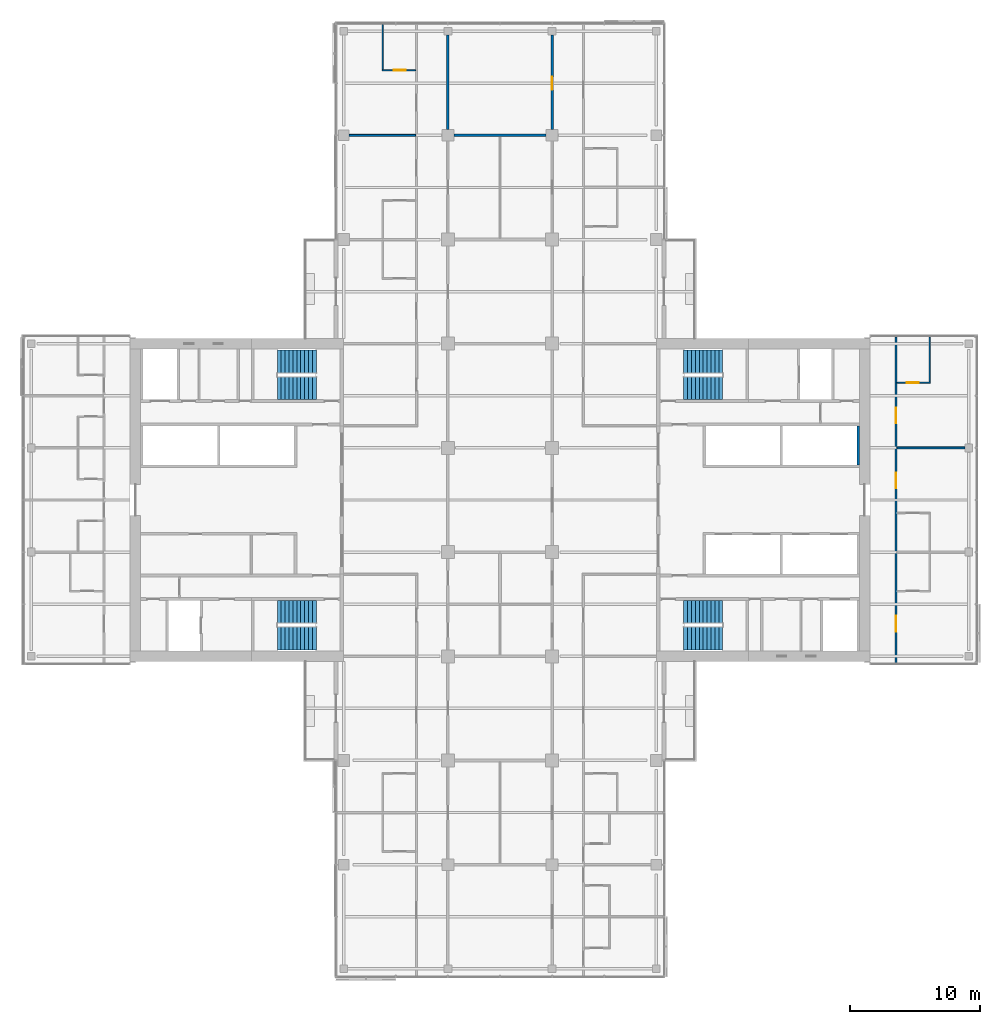
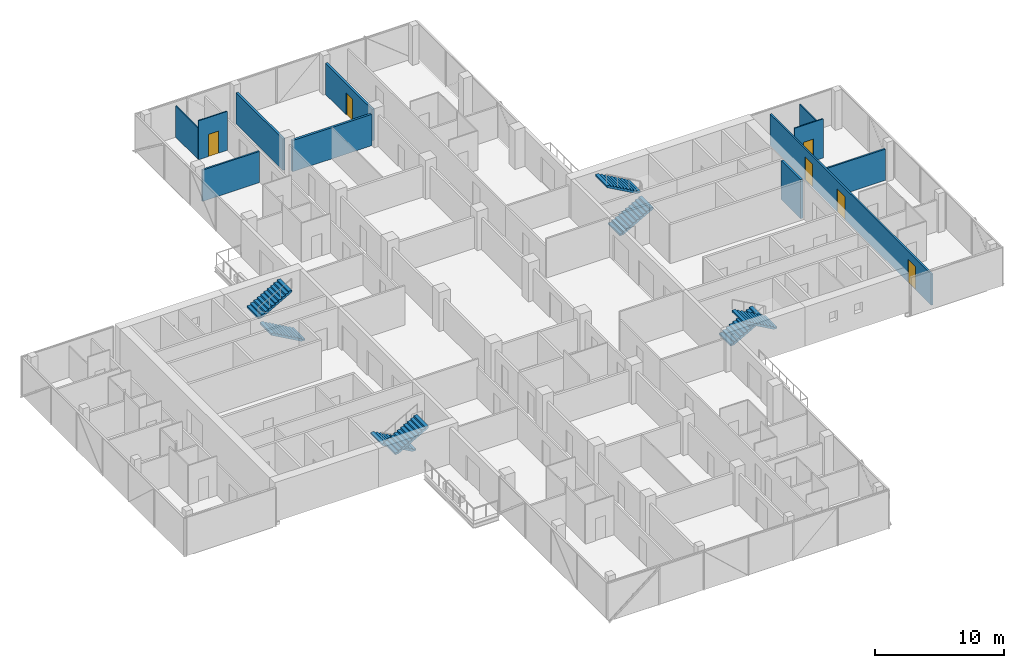
# One storey, part 20 of 25: 11 walls, 8 stair flights, 6 doors, 6 openings, 4 elements without a shape of their own.
"""IFC4 building model written with IfcOpenShell, lengths in metres."""

from ifc_helpers import new_model, si_unit, direction, frame, frame_2d, origin, place, context, subcontext, project, spatial, polyline, rectangle, outline, extrude, material, layer, layer_set, type_object, element, fill, aggregate, save


model = new_model("IFC4")

# Units and contexts
model_context = context("Model", 3, precision=1e-05, world=origin(), true_north=direction((0.0, 1.0)))
body_context = subcontext(model_context, "Body", "Model", "MODEL_VIEW")
ifc_project = project(units=[si_unit("LENGTHUNIT", "METRE"), si_unit("AREAUNIT", "SQUARE_METRE"), si_unit("VOLUMEUNIT", "CUBIC_METRE"), si_unit("PLANEANGLEUNIT", "RADIAN"), si_unit("MASSUNIT", "GRAM", prefix="KILO")], contexts=[model_context])

# Site, building, storey
site_placement = place(None, origin())
site = spatial("IfcSite", under=ifc_project, at=site_placement, CompositionType="ELEMENT")
building_placement = place(site_placement, origin())
building = spatial("IfcBuilding", under=site, at=building_placement, Name="Crosswind Convention Tower", CompositionType="ELEMENT")
storey_placement = place(building_placement, frame((0.0, 0.0, 97.89990234375)))
storey = spatial("IfcBuildingStorey", under=building, at=storey_placement, Name="L19", CompositionType="ELEMENT", Elevation=97.89990234375)

# Walls
ifc_material_1 = material(Name="Concrete C50/60", Category="concrete")
ifc_layer_1 = layer(ifc_material_1, 0.199951171875)
ifc_layer_set_1 = layer_set([ifc_layer_1], Name="Concrete C50/60")
wall_type_1 = type_object("IfcWallType", Name="Concrete shaft and stair wall 200", PredefinedType="SHEAR", material=ifc_layer_set_1)
wall_1_placement = place(storey_placement, frame((152.5, 102.699951171875, 0.0), z_axis=(0.0, 0.0, 1.0), x_axis=(0.0, 1.0, 0.0)))
element("IfcWall", 1, at=wall_1_placement, inside=storey, type_object=wall_type_1, Name="Wall RPEAST E L19", PredefinedType="SHEAR", context=body_context, shape_type="SweptSolid", body=[
    extrude(rectangle(XDim=3.0, YDim=0.199951171875, at=frame_2d((1.5, 0.0))), origin(), (0.0, 0.0, 1.0), 3.7001953125),
])
ifc_material_2 = material(Name="Acoustic plasterboard partition", Category="gypsum")
ifc_layer_2 = layer(ifc_material_2, 0.14990234375)
ifc_layer_set_2 = layer_set([ifc_layer_2], Name="GUEST ROOM WALL 150")
wall_type_2 = type_object("IfcWallType", Name="GUEST ROOM WALL 150", PredefinedType="PARTITIONING", material=ifc_layer_set_2)
wall_2_placement = place(storey_placement, frame((155.47509765625, 104.0, 0.0), z_axis=(0.0, 0.0, 1.0), x_axis=(1.0, 0.0, 0.0)))
element("IfcWall", 2, at=wall_2_placement, inside=storey, type_object=wall_type_2, Name="Guest Room Wall 31", PredefinedType="PARTITIONING", context=body_context, shape_type="SweptSolid", body=[
    extrude(rectangle(XDim=5.224853515625, YDim=0.14990234375, at=frame_2d((2.6123046875, 0.0))), origin(), (0.0, 0.0, 1.0), 2.95654296875),
])
wall_3_placement = place(storey_placement, frame((113.39990234375, 128.0, 0.0), z_axis=(0.0, 0.0, 1.0), x_axis=(1.0, 0.0, 0.0)))
element("IfcWall", 3, at=wall_3_placement, inside=storey, type_object=wall_type_2, Name="Guest Room Wall 48", PredefinedType="PARTITIONING", context=body_context, shape_type="SweptSolid", body=[
    extrude(rectangle(XDim=5.125, YDim=0.14990234375, at=frame_2d((2.5625, 0.0))), origin(), (0.0, 0.0, 1.0), 2.9599609375),
])

# Wall, openings, doors
wall_4_placement = place(storey_placement, frame((155.39990234375, 87.5, 0.0), z_axis=(0.0, 0.0, 1.0), x_axis=(0.0, 1.0, 0.0)))
wall_4 = element("IfcWall", 4, at=wall_4_placement, inside=storey, type_object=wall_type_2, Name="Guest Room Wall 99", PredefinedType="PARTITIONING", context=body_context, shape_type="SweptSolid", body=[
    extrude(rectangle(XDim=25.0, YDim=0.14990234375, at=frame_2d((12.5, 0.0))), origin(), (0.0, 0.0, 1.0), 2.95654296875),
])
opening_1_placement = place(wall_4_placement, frame((2.39990234375, 0.0, 0.0)))
opening_1 = element("IfcOpeningElement", 5, at=opening_1_placement, cuts=wall_4, Name="Opening 19.027", PredefinedType="OPENING", context=body_context, shape_type="SweptSolid", body=[
    extrude(rectangle(XDim=1.199951171875, YDim=2.199951171875, at=frame_2d((0.60009765625, 1.10009765625))), frame((0.0, 0.0849609375, 0.0), z_axis=(0.0, -1.0, 0.0), x_axis=(1.0, 0.0, 0.0)), (0.0, 0.0, 1.0), 0.169921875),
])
opening_2_placement = place(wall_4_placement, frame((13.39990234375, 0.0, 0.0)))
opening_2 = element("IfcOpeningElement", 6, at=opening_2_placement, cuts=wall_4, Name="Opening 19.029", PredefinedType="OPENING", context=body_context, shape_type="SweptSolid", body=[
    extrude(rectangle(XDim=1.199951171875, YDim=2.199951171875, at=frame_2d((0.60009765625, 1.10009765625))), frame((0.0, 0.0849609375, 0.0), z_axis=(0.0, -1.0, 0.0), x_axis=(1.0, 0.0, 0.0)), (0.0, 0.0, 1.0), 0.169921875),
])
opening_3_placement = place(wall_4_placement, frame((18.39990234375, 0.0, 0.0)))
opening_3 = element("IfcOpeningElement", 7, at=opening_3_placement, cuts=wall_4, Name="Opening 19.031", PredefinedType="OPENING", context=body_context, shape_type="SweptSolid", body=[
    extrude(rectangle(XDim=1.199951171875, YDim=2.199951171875, at=frame_2d((0.60009765625, 1.10009765625))), frame((0.0, 0.0849609375, 0.0), z_axis=(0.0, -1.0, 0.0), x_axis=(1.0, 0.0, 0.0)), (0.0, 0.0, 1.0), 0.169921875),
])
ifc_material_3 = material(Name="Timber fire door", Category="wood")
door_type_1 = type_object("IfcDoorType", Name="SUITE DOOR 1200X2200", OperationType="DOUBLE_DOOR_SINGLE_SWING", PredefinedType="DOOR", material=ifc_material_3)
door_1_placement = place(opening_1_placement, frame((1.199951171875, 0.0, 0.0), z_axis=(0.0, 0.0, 1.0), x_axis=(-1.0, 0.0, 0.0)))
door_1 = element("IfcDoor", 8, at=door_1_placement, inside=storey, type_object=door_type_1, Name="Door 19.027", ObjectType="D14", OperationType="DOUBLE_DOOR_SINGLE_SWING", OverallHeight=2.199951171875, OverallWidth=1.199951171875, PredefinedType="DOOR", context=body_context, shape_type="SweptSolid", body=[
    extrude(rectangle(XDim=1.199951171875, YDim=2.199951171875, at=frame_2d((0.60009765625, 1.10009765625))), frame((0.0, 0.02490234375, 0.0), z_axis=(0.0, -1.0, 0.0), x_axis=(1.0, 0.0, 0.0)), (0.0, 0.0, 1.0), 0.050048828125),
])
fill(opening_1, door_1)
door_2_placement = place(opening_2_placement, frame((1.199951171875, 0.0, 0.0), z_axis=(0.0, 0.0, 1.0), x_axis=(-1.0, 0.0, 0.0)))
door_2 = element("IfcDoor", 9, at=door_2_placement, inside=storey, type_object=door_type_1, Name="Door 19.029", ObjectType="D14", OperationType="DOUBLE_DOOR_SINGLE_SWING", OverallHeight=2.199951171875, OverallWidth=1.199951171875, PredefinedType="DOOR", context=body_context, shape_type="SweptSolid", body=[
    extrude(rectangle(XDim=1.199951171875, YDim=2.199951171875, at=frame_2d((0.60009765625, 1.10009765625))), frame((0.0, 0.02490234375, 0.0), z_axis=(0.0, -1.0, 0.0), x_axis=(1.0, 0.0, 0.0)), (0.0, 0.0, 1.0), 0.050048828125),
])
fill(opening_2, door_2)
door_3_placement = place(opening_3_placement, frame((1.199951171875, 0.0, 0.0), z_axis=(0.0, 0.0, 1.0), x_axis=(-1.0, 0.0, 0.0)))
door_3 = element("IfcDoor", 10, at=door_3_placement, inside=storey, type_object=door_type_1, Name="Door 19.031", ObjectType="D14", OperationType="DOUBLE_DOOR_SINGLE_SWING", OverallHeight=2.199951171875, OverallWidth=1.199951171875, PredefinedType="DOOR", context=body_context, shape_type="SweptSolid", body=[
    extrude(rectangle(XDim=1.199951171875, YDim=2.199951171875, at=frame_2d((0.60009765625, 1.10009765625))), frame((0.0, 0.02490234375, 0.0), z_axis=(0.0, -1.0, 0.0), x_axis=(1.0, 0.0, 0.0)), (0.0, 0.0, 1.0), 0.050048828125),
])
fill(opening_3, door_3)

# Walls
ifc_material_4 = material(Name="Double plasterboard partition", Category="gypsum")
ifc_layer_3 = layer(ifc_material_4, 0.199951171875)
ifc_layer_set_3 = layer_set([ifc_layer_3], Name="HALL WALL 200")
wall_type_3 = type_object("IfcWallType", Name="HALL WALL 200", PredefinedType="PARTITIONING", material=ifc_layer_set_3)
wall_5_placement = place(storey_placement, frame((121.449951171875, 128.0, 0.0), z_axis=(0.0, 0.0, 1.0), x_axis=(1.0, 0.0, 0.0)))
element("IfcWall", 11, at=wall_5_placement, inside=storey, type_object=wall_type_3, Name="Hall Wall 49", PredefinedType="PARTITIONING", context=body_context, shape_type="SweptSolid", body=[
    extrude(rectangle(XDim=7.10009765625, YDim=0.199951171875, at=frame_2d((3.550048828125, 0.0))), origin(), (0.0, 0.0, 1.0), 2.9599609375),
])
wall_6_placement = place(storey_placement, frame((121.0, 128.449951171875, 0.0), z_axis=(0.0, 0.0, 1.0), x_axis=(0.0, 1.0, 0.0)))
element("IfcWall", 12, at=wall_6_placement, inside=storey, type_object=wall_type_3, Name="Hall Wall 75", PredefinedType="PARTITIONING", context=body_context, shape_type="SweptSolid", body=[
    extrude(rectangle(XDim=7.25, YDim=0.199951171875, at=frame_2d((3.625, 0.0))), origin(), (0.0, 0.0, 1.0), 2.9599609375),
])

# Wall, opening, door
wall_7_placement = place(storey_placement, frame((129.0, 128.449951171875, 0.0), z_axis=(0.0, 0.0, 1.0), x_axis=(0.0, 1.0, 0.0)))
wall_7 = element("IfcWall", 13, at=wall_7_placement, inside=storey, type_object=wall_type_3, Name="Hall Wall 88", PredefinedType="PARTITIONING", context=body_context, shape_type="SweptSolid", body=[
    extrude(rectangle(XDim=7.25, YDim=0.199951171875, at=frame_2d((3.625, 0.0))), origin(), (0.0, 0.0, 1.0), 2.9599609375),
])
opening_4_placement = place(wall_7_placement, frame((3.050048828125, 0.0, 0.0)))
opening_4 = element("IfcOpeningElement", 14, at=opening_4_placement, cuts=wall_7, Name="Opening 19.055", PredefinedType="OPENING", context=body_context, shape_type="SweptSolid", body=[
    extrude(rectangle(XDim=1.0, YDim=2.10009765625, at=frame_2d((0.5, 1.050048828125))), frame((0.0, 0.10986328125, 0.0), z_axis=(0.0, -1.0, 0.0), x_axis=(1.0, 0.0, 0.0)), (0.0, 0.0, 1.0), 0.219970703125),
])
door_type_2 = type_object("IfcDoorType", Name="MEETING ROOM DOOR 1000X2100", OperationType="NOTDEFINED", PredefinedType="DOOR", material=ifc_material_3)
door_4_placement = place(opening_4_placement, origin())
door_4 = element("IfcDoor", 15, at=door_4_placement, inside=storey, type_object=door_type_2, Name="Door 19.055", ObjectType="D13", OperationType="SINGLE_SWING_LEFT", OverallHeight=2.10009765625, OverallWidth=1.0, PredefinedType="DOOR", context=body_context, shape_type="SweptSolid", body=[
    extrude(rectangle(XDim=1.0, YDim=2.10009765625, at=frame_2d((0.5, 1.050048828125))), frame((0.0, 0.02490234375, 0.0), z_axis=(0.0, -1.0, 0.0), x_axis=(1.0, 0.0, 0.0)), (0.0, 0.0, 1.0), 0.050048828125),
])
fill(opening_4, door_4)

ifc_material_5 = material(Name="Water-resistant plasterboard partition", Category="gypsum")
ifc_layer_4 = layer(ifc_material_5, 0.10009765625)
ifc_layer_set_4 = layer_set([ifc_layer_4], Name="WET ROOM PARTITION 100")
wall_type_4 = type_object("IfcWallType", Name="WET ROOM PARTITION 100", PredefinedType="PLUMBINGWALL", material=ifc_layer_set_4)
wall_8_placement = place(storey_placement, frame((155.47509765625, 109.0, 0.0), z_axis=(0.0, 0.0, 1.0), x_axis=(1.0, 0.0, 0.0)))
wall_8 = element("IfcWall", 16, at=wall_8_placement, inside=storey, type_object=wall_type_4, Name="Wet Room Partition 36", PredefinedType="PLUMBINGWALL", context=body_context, shape_type="SweptSolid", body=[
    extrude(rectangle(XDim=2.574951171875, YDim=0.10009765625, at=frame_2d((1.28759765625, 0.0))), origin(), (0.0, 0.0, 1.0), 3.7001953125),
])
opening_5_placement = place(wall_8_placement, frame((0.77490234375, 0.0, 0.0)))
opening_5 = element("IfcOpeningElement", 17, at=opening_5_placement, cuts=wall_8, Name="Opening 19.032", PredefinedType="OPENING", context=body_context, shape_type="SweptSolid", body=[
    extrude(rectangle(XDim=0.89990234375, YDim=2.10009765625, at=frame_2d((0.449951171875, 1.050048828125))), frame((0.0, 0.06005859375, 0.0), z_axis=(0.0, -1.0, 0.0), x_axis=(1.0, 0.0, 0.0)), (0.0, 0.0, 1.0), 0.1201171875),
])
ifc_material_6 = material(Name="Timber door", Category="wood")
door_type_3 = type_object("IfcDoorType", Name="EN-SUITE DOOR 900X2100", OperationType="NOTDEFINED", PredefinedType="DOOR", material=ifc_material_6)
door_5_placement = place(opening_5_placement, origin())
door_5 = element("IfcDoor", 18, at=door_5_placement, inside=storey, type_object=door_type_3, Name="Door 19.032", ObjectType="D2", OperationType="SINGLE_SWING_RIGHT", OverallHeight=2.10009765625, OverallWidth=0.89990234375, PredefinedType="DOOR", context=body_context, shape_type="SweptSolid", body=[
    extrude(rectangle(XDim=0.89990234375, YDim=2.10009765625, at=frame_2d((0.449951171875, 1.050048828125))), frame((0.0, 0.02490234375, 0.0), z_axis=(0.0, -1.0, 0.0), x_axis=(1.0, 0.0, 0.0)), (0.0, 0.0, 1.0), 0.050048828125),
])
fill(opening_5, door_5)

wall_9_placement = place(storey_placement, frame((115.949951171875, 133.0, 0.0), z_axis=(0.0, 0.0, 1.0), x_axis=(1.0, 0.0, 0.0)))
wall_9 = element("IfcWall", 19, at=wall_9_placement, inside=storey, type_object=wall_type_4, Name="Wet Room Partition 50", PredefinedType="PLUMBINGWALL", context=body_context, shape_type="SweptSolid", body=[
    extrude(rectangle(XDim=2.574951171875, YDim=0.10009765625, at=frame_2d((1.28759765625, 0.0))), origin(), (0.0, 0.0, 1.0), 3.7001953125),
])
opening_6_placement = place(wall_9_placement, frame((0.89990234375, 0.0, 0.0)))
opening_6 = element("IfcOpeningElement", 20, at=opening_6_placement, cuts=wall_9, Name="Opening 19.014", PredefinedType="OPENING", context=body_context, shape_type="SweptSolid", body=[
    extrude(rectangle(XDim=0.89990234375, YDim=2.10009765625, at=frame_2d((0.449951171875, 1.050048828125))), frame((0.0, 0.06005859375, 0.0), z_axis=(0.0, -1.0, 0.0), x_axis=(1.0, 0.0, 0.0)), (0.0, 0.0, 1.0), 0.1201171875),
])
door_6_placement = place(opening_6_placement, origin())
door_6 = element("IfcDoor", 21, at=door_6_placement, inside=storey, type_object=door_type_3, Name="Door 19.014", ObjectType="D2", OperationType="SINGLE_SWING_RIGHT", OverallHeight=2.10009765625, OverallWidth=0.89990234375, PredefinedType="DOOR", context=body_context, shape_type="SweptSolid", body=[
    extrude(rectangle(XDim=0.89990234375, YDim=2.10009765625, at=frame_2d((0.449951171875, 1.050048828125))), frame((0.0, 0.02490234375, 0.0), z_axis=(0.0, -1.0, 0.0), x_axis=(1.0, 0.0, 0.0)), (0.0, 0.0, 1.0), 0.050048828125),
])
fill(opening_6, door_6)

# Walls
for number, where, z_axis, x_axis, name in (
    (22, (116.0, 133.050048828125, 0.0), (0.0, 0.0, 1.0), (0.0, 1.0, 0.0), "Wet Room Partition 61"),
    (23, (158.0, 109.050048828125, 0.0), (0.0, 0.0, 1.0), (0.0, 1.0, 0.0), "Wet Room Partition 102"),
):
    element("IfcWall", number, at=place(storey_placement, frame(where, z_axis=z_axis, x_axis=x_axis)), inside=storey, type_object=wall_type_4, Name=name, PredefinedType="PLUMBINGWALL", context=body_context, shape_type="SweptSolid", body=[
        extrude(rectangle(XDim=3.449951171875, YDim=0.10009765625, at=frame_2d((1.72509765625, 0.0))), origin(), (0.0, 0.0, 1.0), 2.962890625),
    ])

# Stair, stair flights
ifc_material_7 = material(Name="Concrete C40/50", Category="concrete")
stair_type = type_object("IfcStairType", Name="Exit stair 1800 wide, 2 flights of 11 risers", PredefinedType="HALF_TURN_STAIR", material=ifc_material_7)
stair_1_placement = place(storey_placement, origin())
stair_1 = element("IfcStair", 24, at=stair_1_placement, inside=storey, type_object=stair_type, Name="Exit stair ST1 L19", ObjectType="ST5", PredefinedType="HALF_TURN_STAIR")
stair_flight_type = type_object("IfcStairFlightType", Name="Stair flight 1800 wide, 11 risers (SF3)", PredefinedType="STRAIGHT", material=ifc_material_7)
stair_flight_1_placement = place(storey_placement, frame((139.10009765625, 108.60009765625, 0.0), z_axis=(0.0, 0.0, 1.0), x_axis=(1.0, 0.0, 0.0)))
stair_flight_1 = element("IfcStairFlight", 25, at=stair_flight_1_placement, type_object=stair_flight_type, Name="ST1 flight 1", NumberOfRisers=11, NumberOfTreads=10, PredefinedType="STRAIGHT", RiserHeight=0.168181818, TreadLength=0.3, context=body_context, shape_type="SweptSolid", body=[
    extrude(outline(polyline([(0.0, 0.0), (0.0, 0.168212890625), (0.300048828125, 0.168212890625), (0.300048828125, 0.33642578125), (0.60009765625, 0.33642578125), (0.60009765625, 0.504638671875), (0.89990234375, 0.504638671875), (0.89990234375, 0.672607421875), (1.199951171875, 0.672607421875), (1.199951171875, 0.8408203125), (1.5, 0.8408203125), (1.5, 1.009033203125), (1.800048828125, 1.009033203125), (1.800048828125, 1.17724609375), (2.10009765625, 1.17724609375), (2.10009765625, 1.345458984375), (2.39990234375, 1.345458984375), (2.39990234375, 1.513671875), (2.699951171875, 1.513671875), (2.699951171875, 1.681884765625), (3.0, 1.681884765625), (3.0, 1.85009765625), (3.0, 1.510009765625), (0.306640625, 0.0), (0.0, 0.0)])), frame((0.0, 0.89990234375, 0.0), z_axis=(0.0, -1.0, 0.0), x_axis=(1.0, 0.0, 0.0)), (0.0, 0.0, 1.0), 1.800048828125),
])
stair_flight_2_placement = place(storey_placement, frame((142.10009765625, 110.60009765625, 1.85009765625), z_axis=(0.0, 0.0, 1.0), x_axis=(-1.0, 0.0, 0.0)))
stair_flight_2 = element("IfcStairFlight", 26, at=stair_flight_2_placement, type_object=stair_flight_type, Name="ST1 flight 2", NumberOfRisers=11, NumberOfTreads=10, PredefinedType="STRAIGHT", RiserHeight=0.168181818, TreadLength=0.3, context=body_context, shape_type="SweptSolid", body=[
    extrude(outline(polyline([(0.0, 0.0), (0.0, 0.168212890625), (0.300048828125, 0.168212890625), (0.300048828125, 0.33642578125), (0.60009765625, 0.33642578125), (0.60009765625, 0.504638671875), (0.89990234375, 0.504638671875), (0.89990234375, 0.672607421875), (1.199951171875, 0.672607421875), (1.199951171875, 0.8408203125), (1.5, 0.8408203125), (1.5, 1.009033203125), (1.800048828125, 1.009033203125), (1.800048828125, 1.17724609375), (2.10009765625, 1.17724609375), (2.10009765625, 1.345458984375), (2.39990234375, 1.345458984375), (2.39990234375, 1.513671875), (2.699951171875, 1.513671875), (2.699951171875, 1.681884765625), (3.0, 1.681884765625), (3.0, 1.85009765625), (3.0, 1.510009765625), (0.306640625, 0.0), (0.0, 0.0)])), frame((0.0, 0.89990234375, 0.0), z_axis=(0.0, -1.0, 0.0), x_axis=(1.0, 0.0, 0.0)), (0.0, 0.0, 1.0), 1.800048828125),
])
aggregate(stair_1, [stair_flight_1, stair_flight_2])

stair_2_placement = place(storey_placement, origin())
stair_2 = element("IfcStair", 27, at=stair_2_placement, inside=storey, type_object=stair_type, Name="Exit stair ST2 L19", ObjectType="ST5", PredefinedType="HALF_TURN_STAIR")
stair_flight_3_placement = place(storey_placement, frame((139.10009765625, 91.39990234375, 0.0), z_axis=(0.0, 0.0, 1.0), x_axis=(1.0, 0.0, 0.0)))
stair_flight_3 = element("IfcStairFlight", 28, at=stair_flight_3_placement, type_object=stair_flight_type, Name="ST2 flight 1", NumberOfRisers=11, NumberOfTreads=10, PredefinedType="STRAIGHT", RiserHeight=0.168181818, TreadLength=0.3, context=body_context, shape_type="SweptSolid", body=[
    extrude(outline(polyline([(0.0, 0.0), (0.0, 0.168212890625), (0.300048828125, 0.168212890625), (0.300048828125, 0.33642578125), (0.60009765625, 0.33642578125), (0.60009765625, 0.504638671875), (0.89990234375, 0.504638671875), (0.89990234375, 0.672607421875), (1.199951171875, 0.672607421875), (1.199951171875, 0.8408203125), (1.5, 0.8408203125), (1.5, 1.009033203125), (1.800048828125, 1.009033203125), (1.800048828125, 1.17724609375), (2.10009765625, 1.17724609375), (2.10009765625, 1.345458984375), (2.39990234375, 1.345458984375), (2.39990234375, 1.513671875), (2.699951171875, 1.513671875), (2.699951171875, 1.681884765625), (3.0, 1.681884765625), (3.0, 1.85009765625), (3.0, 1.510009765625), (0.306640625, 0.0), (0.0, 0.0)])), frame((0.0, 0.89990234375, 0.0), z_axis=(0.0, -1.0, 0.0), x_axis=(1.0, 0.0, 0.0)), (0.0, 0.0, 1.0), 1.800048828125),
])
stair_flight_4_placement = place(storey_placement, frame((142.10009765625, 89.39990234375, 1.85009765625), z_axis=(0.0, 0.0, 1.0), x_axis=(-1.0, 0.0, 0.0)))
stair_flight_4 = element("IfcStairFlight", 29, at=stair_flight_4_placement, type_object=stair_flight_type, Name="ST2 flight 2", NumberOfRisers=11, NumberOfTreads=10, PredefinedType="STRAIGHT", RiserHeight=0.168181818, TreadLength=0.3, context=body_context, shape_type="SweptSolid", body=[
    extrude(outline(polyline([(0.0, 0.0), (0.0, 0.168212890625), (0.300048828125, 0.168212890625), (0.300048828125, 0.33642578125), (0.60009765625, 0.33642578125), (0.60009765625, 0.504638671875), (0.89990234375, 0.504638671875), (0.89990234375, 0.672607421875), (1.199951171875, 0.672607421875), (1.199951171875, 0.8408203125), (1.5, 0.8408203125), (1.5, 1.009033203125), (1.800048828125, 1.009033203125), (1.800048828125, 1.17724609375), (2.10009765625, 1.17724609375), (2.10009765625, 1.345458984375), (2.39990234375, 1.345458984375), (2.39990234375, 1.513671875), (2.699951171875, 1.513671875), (2.699951171875, 1.681884765625), (3.0, 1.681884765625), (3.0, 1.85009765625), (3.0, 1.510009765625), (0.306640625, 0.0), (0.0, 0.0)])), frame((0.0, 0.89990234375, 0.0), z_axis=(0.0, -1.0, 0.0), x_axis=(1.0, 0.0, 0.0)), (0.0, 0.0, 1.0), 1.800048828125),
])
aggregate(stair_2, [stair_flight_3, stair_flight_4])

stair_3_placement = place(storey_placement, origin())
stair_3 = element("IfcStair", 30, at=stair_3_placement, inside=storey, type_object=stair_type, Name="Exit stair ST3 L19", ObjectType="ST5", PredefinedType="HALF_TURN_STAIR")
stair_flight_5_placement = place(storey_placement, frame((110.89990234375, 91.39990234375, 0.0), z_axis=(0.0, 0.0, 1.0), x_axis=(-1.0, 0.0, 0.0)))
stair_flight_5 = element("IfcStairFlight", 31, at=stair_flight_5_placement, type_object=stair_flight_type, Name="ST3 flight 1", NumberOfRisers=11, NumberOfTreads=10, PredefinedType="STRAIGHT", RiserHeight=0.168181818, TreadLength=0.3, context=body_context, shape_type="SweptSolid", body=[
    extrude(outline(polyline([(0.0, 0.0), (0.0, 0.168212890625), (0.300048828125, 0.168212890625), (0.300048828125, 0.33642578125), (0.60009765625, 0.33642578125), (0.60009765625, 0.504638671875), (0.89990234375, 0.504638671875), (0.89990234375, 0.672607421875), (1.199951171875, 0.672607421875), (1.199951171875, 0.8408203125), (1.5, 0.8408203125), (1.5, 1.009033203125), (1.800048828125, 1.009033203125), (1.800048828125, 1.17724609375), (2.10009765625, 1.17724609375), (2.10009765625, 1.345458984375), (2.39990234375, 1.345458984375), (2.39990234375, 1.513671875), (2.699951171875, 1.513671875), (2.699951171875, 1.681884765625), (3.0, 1.681884765625), (3.0, 1.85009765625), (3.0, 1.510009765625), (0.306640625, 0.0), (0.0, 0.0)])), frame((0.0, 0.89990234375, 0.0), z_axis=(0.0, -1.0, 0.0), x_axis=(1.0, 0.0, 0.0)), (0.0, 0.0, 1.0), 1.800048828125),
])
stair_flight_6_placement = place(storey_placement, frame((107.89990234375, 89.39990234375, 1.85009765625), z_axis=(0.0, 0.0, 1.0), x_axis=(1.0, 0.0, 0.0)))
stair_flight_6 = element("IfcStairFlight", 32, at=stair_flight_6_placement, type_object=stair_flight_type, Name="ST3 flight 2", NumberOfRisers=11, NumberOfTreads=10, PredefinedType="STRAIGHT", RiserHeight=0.168181818, TreadLength=0.3, context=body_context, shape_type="SweptSolid", body=[
    extrude(outline(polyline([(0.0, 0.0), (0.0, 0.168212890625), (0.300048828125, 0.168212890625), (0.300048828125, 0.33642578125), (0.60009765625, 0.33642578125), (0.60009765625, 0.504638671875), (0.89990234375, 0.504638671875), (0.89990234375, 0.672607421875), (1.199951171875, 0.672607421875), (1.199951171875, 0.8408203125), (1.5, 0.8408203125), (1.5, 1.009033203125), (1.800048828125, 1.009033203125), (1.800048828125, 1.17724609375), (2.10009765625, 1.17724609375), (2.10009765625, 1.345458984375), (2.39990234375, 1.345458984375), (2.39990234375, 1.513671875), (2.699951171875, 1.513671875), (2.699951171875, 1.681884765625), (3.0, 1.681884765625), (3.0, 1.85009765625), (3.0, 1.510009765625), (0.306640625, 0.0), (0.0, 0.0)])), frame((0.0, 0.89990234375, 0.0), z_axis=(0.0, -1.0, 0.0), x_axis=(1.0, 0.0, 0.0)), (0.0, 0.0, 1.0), 1.800048828125),
])
aggregate(stair_3, [stair_flight_5, stair_flight_6])

stair_4_placement = place(storey_placement, origin())
stair_4 = element("IfcStair", 33, at=stair_4_placement, inside=storey, type_object=stair_type, Name="Exit stair ST4 L19", ObjectType="ST5", PredefinedType="HALF_TURN_STAIR")
stair_flight_7_placement = place(storey_placement, frame((110.89990234375, 108.60009765625, 0.0), z_axis=(0.0, 0.0, 1.0), x_axis=(-1.0, 0.0, 0.0)))
stair_flight_7 = element("IfcStairFlight", 34, at=stair_flight_7_placement, type_object=stair_flight_type, Name="ST4 flight 1", NumberOfRisers=11, NumberOfTreads=10, PredefinedType="STRAIGHT", RiserHeight=0.168181818, TreadLength=0.3, context=body_context, shape_type="SweptSolid", body=[
    extrude(outline(polyline([(0.0, 0.0), (0.0, 0.168212890625), (0.300048828125, 0.168212890625), (0.300048828125, 0.33642578125), (0.60009765625, 0.33642578125), (0.60009765625, 0.504638671875), (0.89990234375, 0.504638671875), (0.89990234375, 0.672607421875), (1.199951171875, 0.672607421875), (1.199951171875, 0.8408203125), (1.5, 0.8408203125), (1.5, 1.009033203125), (1.800048828125, 1.009033203125), (1.800048828125, 1.17724609375), (2.10009765625, 1.17724609375), (2.10009765625, 1.345458984375), (2.39990234375, 1.345458984375), (2.39990234375, 1.513671875), (2.699951171875, 1.513671875), (2.699951171875, 1.681884765625), (3.0, 1.681884765625), (3.0, 1.85009765625), (3.0, 1.510009765625), (0.306640625, 0.0), (0.0, 0.0)])), frame((0.0, 0.89990234375, 0.0), z_axis=(0.0, -1.0, 0.0), x_axis=(1.0, 0.0, 0.0)), (0.0, 0.0, 1.0), 1.800048828125),
])
stair_flight_8_placement = place(storey_placement, frame((107.89990234375, 110.60009765625, 1.85009765625), z_axis=(0.0, 0.0, 1.0), x_axis=(1.0, 0.0, 0.0)))
stair_flight_8 = element("IfcStairFlight", 35, at=stair_flight_8_placement, type_object=stair_flight_type, Name="ST4 flight 2", NumberOfRisers=11, NumberOfTreads=10, PredefinedType="STRAIGHT", RiserHeight=0.168181818, TreadLength=0.3, context=body_context, shape_type="SweptSolid", body=[
    extrude(outline(polyline([(0.0, 0.0), (0.0, 0.168212890625), (0.300048828125, 0.168212890625), (0.300048828125, 0.33642578125), (0.60009765625, 0.33642578125), (0.60009765625, 0.504638671875), (0.89990234375, 0.504638671875), (0.89990234375, 0.672607421875), (1.199951171875, 0.672607421875), (1.199951171875, 0.8408203125), (1.5, 0.8408203125), (1.5, 1.009033203125), (1.800048828125, 1.009033203125), (1.800048828125, 1.17724609375), (2.10009765625, 1.17724609375), (2.10009765625, 1.345458984375), (2.39990234375, 1.345458984375), (2.39990234375, 1.513671875), (2.699951171875, 1.513671875), (2.699951171875, 1.681884765625), (3.0, 1.681884765625), (3.0, 1.85009765625), (3.0, 1.510009765625), (0.306640625, 0.0), (0.0, 0.0)])), frame((0.0, 0.89990234375, 0.0), z_axis=(0.0, -1.0, 0.0), x_axis=(1.0, 0.0, 0.0)), (0.0, 0.0, 1.0), 1.800048828125),
])
aggregate(stair_4, [stair_flight_7, stair_flight_8])

save(model, "model.ifc")
